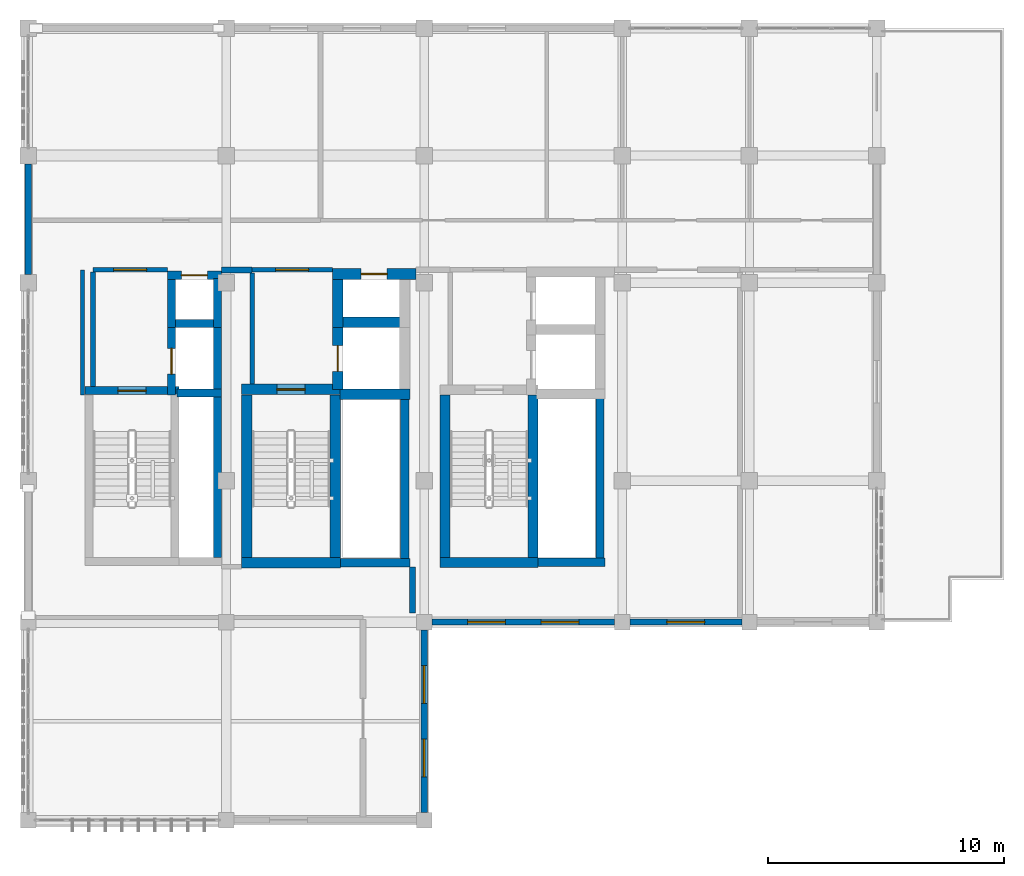
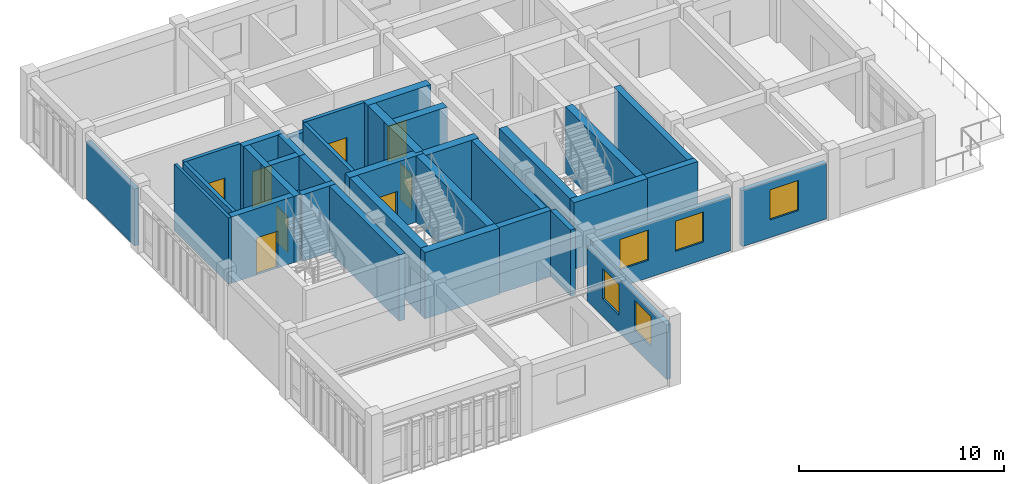
# One storey, part 19 of 23: 36 walls, 8 doors, 5 windows, 13 openings.
"""IFC4 building model written with IfcOpenShell, lengths in metres."""

from ifc_helpers import new_model, si_unit, direction, frame, frame_2d, origin, place, context, subcontext, project, spatial, rectangle, extrude, material, layer, layer_set, type_object, element, fill, save


model = new_model("IFC4")

# Units and contexts
model_context = context("Model", 3, precision=1e-05, world=origin(), true_north=direction((0.0, 1.0)))
body_context = subcontext(model_context, "Body", "Model", "MODEL_VIEW")
ifc_project = project(units=[si_unit("LENGTHUNIT", "METRE"), si_unit("AREAUNIT", "SQUARE_METRE"), si_unit("VOLUMEUNIT", "CUBIC_METRE"), si_unit("PLANEANGLEUNIT", "RADIAN"), si_unit("MASSUNIT", "GRAM", prefix="KILO")], contexts=[model_context])

# Site, building, storey
site_placement = place(None, origin())
site = spatial("IfcSite", under=ifc_project, at=site_placement, CompositionType="ELEMENT")
building_placement = place(site_placement, origin())
building = spatial("IfcBuilding", under=site, at=building_placement, Name="Krzemoval Escarpment Law Courts", CompositionType="ELEMENT")
storey_placement = place(building_placement, frame((0.0, 0.0, 33.60009765625)))
storey = spatial("IfcBuildingStorey", under=building, at=storey_placement, Name="L07", CompositionType="ELEMENT", Elevation=33.60009765625)

# Wall
ifc_material_1 = material(Name="Precast concrete C40/50", Category="concrete")
ifc_layer_1 = layer(ifc_material_1, 0.260009765625)
ifc_layer_set_1 = layer_set([ifc_layer_1], Name="Precast concrete C40/50")
wall_type_1 = type_object("IfcWallType", Name="WL-EXT-260", PredefinedType="SOLIDWALL", material=ifc_layer_set_1)
wall_1_placement = place(storey_placement, frame((126.0, 108.35009765625, 0.0), z_axis=(0.0, 0.0, 1.0), x_axis=(0.0, 1.0, 0.0)))
element("IfcWall", 1, at=wall_1_placement, inside=storey, type_object=wall_type_1, Name="Exterior Wall EW-L07-0456", PredefinedType="SOLIDWALL", context=body_context, shape_type="SweptSolid", body=[
    extrude(rectangle(XDim=4.699951171875, YDim=0.260009765625, at=frame_2d((2.35009765625, 0.0))), origin(), (0.0, 0.0, 1.0), 3.39990234375),
])

# Wall, opening, window
wall_2_placement = place(storey_placement, frame((156.27490234375, 93.60009765625, 0.0), z_axis=(0.0, 0.0, 1.0), x_axis=(-1.0, 0.0, 0.0)))
wall_2 = element("IfcWall", 2, at=wall_2_placement, inside=storey, type_object=wall_type_1, Name="Exterior Wall EW-L07-0464", PredefinedType="SOLIDWALL", context=body_context, shape_type="SweptSolid", body=[
    extrude(rectangle(XDim=4.75, YDim=0.260009765625, at=frame_2d((2.375, 0.0))), origin(), (0.0, 0.0, 1.0), 3.349853515625),
])
opening_1_placement = place(wall_2_placement, frame((1.574951171875, 0.0, 1.050048828125)))
opening_1 = element("IfcOpeningElement", 3, at=opening_1_placement, cuts=wall_2, Name="Opening WN-L07-0541", PredefinedType="OPENING", context=body_context, shape_type="SweptSolid", body=[
    extrude(rectangle(XDim=1.60009765625, YDim=1.800048828125, at=frame_2d((0.800048828125, 0.89990234375))), frame((0.0, 0.145, 0.0), z_axis=(0.0, -1.0, 0.0), x_axis=(1.0, 0.0, 0.0)), (0.0, 0.0, 1.0), 0.29001),
])
ifc_material_2 = material(Name="Thermally Broken Aluminium Frame with Triple Low-E Acoustic Glass", Category="aluminium")
window_type = type_object("IfcWindowType", Name="WN-1600x1800", PartitioningType="SINGLE_PANEL", PredefinedType="WINDOW", material=ifc_material_2)
window_1_placement = place(opening_1_placement, origin())
window_1 = element("IfcWindow", 4, at=window_1_placement, inside=storey, type_object=window_type, Name="Facade Window WN-L07-0541", OverallHeight=1.800048828125, OverallWidth=1.60009765625, PartitioningType="SINGLE_PANEL", PredefinedType="WINDOW", context=body_context, shape_type="SweptSolid", body=[
    extrude(rectangle(XDim=1.60009765625, YDim=1.800048828125, at=frame_2d((0.800048828125, 0.89990234375))), frame((0.0, 0.030029296875, 0.0), z_axis=(0.0, -1.0, 0.0), x_axis=(1.0, 0.0, 0.0)), (0.0, 0.0, 1.0), 0.06005859375),
])
fill(opening_1, window_1)

# Wall, openings, windows
wall_3_placement = place(storey_placement, frame((150.875, 93.60009765625, 0.0), z_axis=(0.0, 0.0, 1.0), x_axis=(-1.0, 0.0, 0.0)))
wall_3 = element("IfcWall", 5, at=wall_3_placement, inside=storey, type_object=wall_type_1, Name="Exterior Wall EW-L07-0465", PredefinedType="SOLIDWALL", context=body_context, shape_type="SweptSolid", body=[
    extrude(rectangle(XDim=7.75, YDim=0.260009765625, at=frame_2d((3.875, 0.0))), origin(), (0.0, 0.0, 1.0), 3.25),
])
opening_2_placement = place(wall_3_placement, frame((1.51708984375, 0.0, 1.050048828125)))
opening_2 = element("IfcOpeningElement", 6, at=opening_2_placement, cuts=wall_3, Name="Opening WN-L07-0542", PredefinedType="OPENING", context=body_context, shape_type="SweptSolid", body=[
    extrude(rectangle(XDim=1.60009765625, YDim=1.800048828125, at=frame_2d((0.800048828125, 0.89990234375))), frame((0.0, 0.145, 0.0), z_axis=(0.0, -1.0, 0.0), x_axis=(1.0, 0.0, 0.0)), (0.0, 0.0, 1.0), 0.29001),
])
opening_3_placement = place(wall_3_placement, frame((4.633056640625, 0.0, 1.050048828125)))
opening_3 = element("IfcOpeningElement", 7, at=opening_3_placement, cuts=wall_3, Name="Opening WN-L07-0543", PredefinedType="OPENING", context=body_context, shape_type="SweptSolid", body=[
    extrude(rectangle(XDim=1.60009765625, YDim=1.800048828125, at=frame_2d((0.800048828125, 0.89990234375))), frame((0.0, 0.145, 0.0), z_axis=(0.0, -1.0, 0.0), x_axis=(1.0, 0.0, 0.0)), (0.0, 0.0, 1.0), 0.29001),
])
window_2_placement = place(opening_2_placement, origin())
window_2 = element("IfcWindow", 8, at=window_2_placement, inside=storey, type_object=window_type, Name="Facade Window WN-L07-0542", OverallHeight=1.800048828125, OverallWidth=1.60009765625, PartitioningType="SINGLE_PANEL", PredefinedType="WINDOW", context=body_context, shape_type="SweptSolid", body=[
    extrude(rectangle(XDim=1.60009765625, YDim=1.800048828125, at=frame_2d((0.800048828125, 0.89990234375))), frame((0.0, 0.030029296875, 0.0), z_axis=(0.0, -1.0, 0.0), x_axis=(1.0, 0.0, 0.0)), (0.0, 0.0, 1.0), 0.06005859375),
])
fill(opening_2, window_2)
window_3_placement = place(opening_3_placement, origin())
window_3 = element("IfcWindow", 9, at=window_3_placement, inside=storey, type_object=window_type, Name="Facade Window WN-L07-0543", OverallHeight=1.800048828125, OverallWidth=1.60009765625, PartitioningType="SINGLE_PANEL", PredefinedType="WINDOW", context=body_context, shape_type="SweptSolid", body=[
    extrude(rectangle(XDim=1.60009765625, YDim=1.800048828125, at=frame_2d((0.800048828125, 0.89990234375))), frame((0.0, 0.030029296875, 0.0), z_axis=(0.0, -1.0, 0.0), x_axis=(1.0, 0.0, 0.0)), (0.0, 0.0, 1.0), 0.06005859375),
])
fill(opening_3, window_3)

wall_4_placement = place(storey_placement, frame((142.800048828125, 93.27490234375, 0.0), z_axis=(0.0, 0.0, 1.0), x_axis=(0.0, -1.0, 0.0)))
wall_4 = element("IfcWall", 10, at=wall_4_placement, inside=storey, type_object=wall_type_1, Name="Exterior Wall EW-L07-0466", PredefinedType="SOLIDWALL", context=body_context, shape_type="SweptSolid", body=[
    extrude(rectangle(XDim=7.75, YDim=0.260009765625, at=frame_2d((3.875, 0.0))), origin(), (0.0, 0.0, 1.0), 3.25),
])
opening_4_placement = place(wall_4_placement, frame((1.51708984375, 0.0, 1.050048828125)))
opening_4 = element("IfcOpeningElement", 11, at=opening_4_placement, cuts=wall_4, Name="Opening WN-L07-0544", PredefinedType="OPENING", context=body_context, shape_type="SweptSolid", body=[
    extrude(rectangle(XDim=1.60009765625, YDim=1.800048828125, at=frame_2d((0.800048828125, 0.89990234375))), frame((0.0, 0.145, 0.0), z_axis=(0.0, -1.0, 0.0), x_axis=(1.0, 0.0, 0.0)), (0.0, 0.0, 1.0), 0.29001),
])
opening_5_placement = place(wall_4_placement, frame((4.633056640625, 0.0, 1.050048828125)))
opening_5 = element("IfcOpeningElement", 12, at=opening_5_placement, cuts=wall_4, Name="Opening WN-L07-0545", PredefinedType="OPENING", context=body_context, shape_type="SweptSolid", body=[
    extrude(rectangle(XDim=1.60009765625, YDim=1.800048828125, at=frame_2d((0.800048828125, 0.89990234375))), frame((0.0, 0.145, 0.0), z_axis=(0.0, -1.0, 0.0), x_axis=(1.0, 0.0, 0.0)), (0.0, 0.0, 1.0), 0.29001),
])
window_4_placement = place(opening_4_placement, origin())
window_4 = element("IfcWindow", 13, at=window_4_placement, inside=storey, type_object=window_type, Name="Facade Window WN-L07-0544", OverallHeight=1.800048828125, OverallWidth=1.60009765625, PartitioningType="SINGLE_PANEL", PredefinedType="WINDOW", context=body_context, shape_type="SweptSolid", body=[
    extrude(rectangle(XDim=1.60009765625, YDim=1.800048828125, at=frame_2d((0.800048828125, 0.89990234375))), frame((0.0, 0.030029296875, 0.0), z_axis=(0.0, -1.0, 0.0), x_axis=(1.0, 0.0, 0.0)), (0.0, 0.0, 1.0), 0.06005859375),
])
fill(opening_4, window_4)
window_5_placement = place(opening_5_placement, origin())
window_5 = element("IfcWindow", 14, at=window_5_placement, inside=storey, type_object=window_type, Name="Facade Window WN-L07-0545", OverallHeight=1.800048828125, OverallWidth=1.60009765625, PartitioningType="SINGLE_PANEL", PredefinedType="WINDOW", context=body_context, shape_type="SweptSolid", body=[
    extrude(rectangle(XDim=1.60009765625, YDim=1.800048828125, at=frame_2d((0.800048828125, 0.89990234375))), frame((0.0, 0.030029296875, 0.0), z_axis=(0.0, -1.0, 0.0), x_axis=(1.0, 0.0, 0.0)), (0.0, 0.0, 1.0), 0.06005859375),
])
fill(opening_5, window_5)

# Wall
ifc_material_3 = material(Name="Jury Suite Partition Assembly", Category="gypsum")
ifc_layer_2 = layer(ifc_material_3, 0.159912109375)
ifc_layer_set_2 = layer_set([ifc_layer_2], Name="Jury Suite Partition Assembly")
wall_type_2 = type_object("IfcWallType", Name="WL-PRT-160", PredefinedType="PARTITIONING", material=ifc_layer_set_2)
wall_5_placement = place(storey_placement, frame((128.300048828125, 103.248046875, 0.0), z_axis=(0.0, 0.0, 1.0), x_axis=(0.0, 1.0, 0.0)))
element("IfcWall", 15, at=wall_5_placement, inside=storey, type_object=wall_type_2, Name="Interior Partition PW-L07-0707", PredefinedType="PARTITIONING", context=body_context, shape_type="SweptSolid", body=[
    extrude(rectangle(XDim=5.302001953125, YDim=0.159912109375, at=frame_2d((2.65087890625, 0.0))), origin(), (0.0, 0.0, 1.0), 3.949951171875),
])

# Wall, opening, door
ifc_material_4 = material(Name="Fire-Rated Corridor Partition Wall", Category="gypsum")
ifc_layer_3 = layer(ifc_material_4, 0.199951171875)
ifc_layer_set_3 = layer_set([ifc_layer_3], Name="Fire-Rated Corridor Partition Wall")
wall_type_3 = type_object("IfcWallType", Name="WL-PRT-200", PredefinedType="PARTITIONING", material=ifc_layer_set_3)
wall_6_placement = place(storey_placement, frame((128.75, 108.550048828125, 0.0), z_axis=(0.0, 0.0, 1.0), x_axis=(1.0, 0.0, 0.0)))
wall_6 = element("IfcWall", 16, at=wall_6_placement, inside=storey, type_object=wall_type_3, Name="Interior Partition PW-L07-0695", PredefinedType="PARTITIONING", context=body_context, shape_type="SweptSolid", body=[
    extrude(rectangle(XDim=3.14990234375, YDim=0.199951171875, at=frame_2d((1.574951171875, 0.0))), origin(), (0.0, 0.0, 1.0), 3.949951171875),
])
opening_6_placement = place(wall_6_placement, frame((0.875, 0.0, 0.0)))
opening_6 = element("IfcOpeningElement", 17, at=opening_6_placement, cuts=wall_6, Name="Opening D-L07-0240", PredefinedType="OPENING", context=body_context, shape_type="SweptSolid", body=[
    extrude(rectangle(XDim=1.39990234375, YDim=2.199951171875, at=frame_2d((0.699951171875, 1.10009765625))), frame((0.0, 0.11498, 0.0), z_axis=(0.0, -1.0, 0.0), x_axis=(1.0, 0.0, 0.0)), (0.0, 0.0, 1.0), 0.22995),
])
ifc_material_5 = material(Name="Galvanised Steel S355", Category="steel")
door_type_1 = type_object("IfcDoorType", Name="DR-FFL-1400x2200", OperationType="SINGLE_SWING_LEFT", PredefinedType="DOOR", material=ifc_material_5)
door_1_placement = place(opening_6_placement, origin())
door_1 = element("IfcDoor", 18, at=door_1_placement, inside=storey, type_object=door_type_1, Name="Room Door D-L07-0240", OperationType="SINGLE_SWING_LEFT", OverallHeight=2.199951171875, OverallWidth=1.39990234375, PredefinedType="DOOR", context=body_context, shape_type="SweptSolid", body=[
    extrude(rectangle(XDim=1.39990234375, YDim=2.199951171875, at=frame_2d((0.699951171875, 1.10009765625))), frame((0.0, 0.02490234375, 0.0), z_axis=(0.0, -1.0, 0.0), x_axis=(1.0, 0.0, 0.0)), (0.0, 0.0, 1.0), 0.050048828125),
])
fill(opening_6, door_1)

wall_7_placement = place(storey_placement, frame((135.5, 108.550048828125, 0.0), z_axis=(0.0, 0.0, 1.0), x_axis=(1.0, 0.0, 0.0)))
wall_7 = element("IfcWall", 19, at=wall_7_placement, inside=storey, type_object=wall_type_3, Name="Interior Partition PW-L07-0696", PredefinedType="PARTITIONING", context=body_context, shape_type="SweptSolid", body=[
    extrude(rectangle(XDim=3.39990234375, YDim=0.199951171875, at=frame_2d((1.699951171875, 0.0))), origin(), (0.0, 0.0, 1.0), 3.949951171875),
])
opening_7_placement = place(wall_7_placement, frame((1.0, 0.0, 0.0)))
opening_7 = element("IfcOpeningElement", 20, at=opening_7_placement, cuts=wall_7, Name="Opening D-L07-0241", PredefinedType="OPENING", context=body_context, shape_type="SweptSolid", body=[
    extrude(rectangle(XDim=1.39990234375, YDim=2.199951171875, at=frame_2d((0.699951171875, 1.10009765625))), frame((0.0, 0.11498, 0.0), z_axis=(0.0, -1.0, 0.0), x_axis=(1.0, 0.0, 0.0)), (0.0, 0.0, 1.0), 0.22995),
])
door_2_placement = place(opening_7_placement, origin())
door_2 = element("IfcDoor", 21, at=door_2_placement, inside=storey, type_object=door_type_1, Name="Room Door D-L07-0241", OperationType="SINGLE_SWING_LEFT", OverallHeight=2.199951171875, OverallWidth=1.39990234375, PredefinedType="DOOR", context=body_context, shape_type="SweptSolid", body=[
    extrude(rectangle(XDim=1.39990234375, YDim=2.199951171875, at=frame_2d((0.699951171875, 1.10009765625))), frame((0.0, 0.02490234375, 0.0), z_axis=(0.0, -1.0, 0.0), x_axis=(1.0, 0.0, 0.0)), (0.0, 0.0, 1.0), 0.050048828125),
])
fill(opening_7, door_2)

# Walls
wall_8_placement = place(storey_placement, frame((128.75, 103.60205078125, 0.0), z_axis=(0.0, 0.0, 1.0), x_axis=(0.0, 1.0, 0.0)))
element("IfcWall", 22, at=wall_8_placement, inside=storey, type_object=wall_type_3, Name="Interior Partition PW-L07-0708", PredefinedType="PARTITIONING", context=body_context, shape_type="SweptSolid", body=[
    extrude(rectangle(XDim=4.845947265625, YDim=0.199951171875, at=frame_2d((2.4228515625, 0.0))), origin(), (0.0, 0.0, 1.0), 3.949951171875),
])
wall_9_placement = place(storey_placement, frame((135.5, 103.701904296875, 0.0), z_axis=(0.0, 0.0, 1.0), x_axis=(0.0, 1.0, 0.0)))
element("IfcWall", 23, at=wall_9_placement, inside=storey, type_object=wall_type_3, Name="Interior Partition PW-L07-0709", PredefinedType="PARTITIONING", context=body_context, shape_type="SweptSolid", body=[
    extrude(rectangle(XDim=4.716064453125, YDim=0.199951171875, at=frame_2d((2.35791015625, 0.0))), origin(), (0.0, 0.0, 1.0), 3.949951171875),
])
ifc_material_6 = material(Name="Acoustic Double-Stud Gypsum and Mineral Wool Wall", Category="gypsum")
ifc_layer_4 = layer(ifc_material_6, 0.260009765625)
ifc_layer_set_4 = layer_set([ifc_layer_4], Name="Acoustic Double-Stud Gypsum and Mineral Wool Wall")
wall_type_4 = type_object("IfcWallType", Name="WL-PRT-260", PredefinedType="PARTITIONING", material=ifc_layer_set_4)
wall_10_placement = place(storey_placement, frame((134.199951171875, 108.550048828125, 0.0), z_axis=(0.0, 0.0, 1.0), x_axis=(1.0, 0.0, 0.0)))
element("IfcWall", 24, at=wall_10_placement, inside=storey, type_object=wall_type_4, Name="Interior Partition PW-L07-0698", PredefinedType="PARTITIONING", context=body_context, shape_type="SweptSolid", body=[
    extrude(rectangle(XDim=1.300048828125, YDim=0.260009765625, at=frame_2d((0.64990234375, 0.0))), origin(), (0.0, 0.0, 1.0), 3.39990234375),
])
wall_11_placement = place(storey_placement, frame((142.300048828125, 94.0, 0.0), z_axis=(0.0, 0.0, 1.0), x_axis=(0.0, 1.0, 0.0)))
element("IfcWall", 25, at=wall_11_placement, inside=storey, type_object=wall_type_4, Name="Interior Partition PW-L07-0712", PredefinedType="PARTITIONING", context=body_context, shape_type="SweptSolid", body=[
    extrude(rectangle(XDim=1.949951171875, YDim=0.260009765625, at=frame_2d((0.97509765625, 0.0))), origin(), (0.0, 0.0, 1.0), 3.949951171875),
])

# Wall, opening, door
ifc_material_7 = material(Name="Concrete C40/50", Category="concrete")
ifc_layer_5 = layer(ifc_material_7, 0.35009765625)
ifc_layer_set_5 = layer_set([ifc_layer_5], Name="Concrete C40/50")
wall_type_5 = type_object("IfcWallType", Name="WL-SHW-350", PredefinedType="SHEAR", material=ifc_layer_set_5)
wall_12_placement = place(storey_placement, frame((128.39990234375, 103.425048828125, 0.0), z_axis=(0.0, 0.0, 1.0), x_axis=(1.0, 0.0, 0.0)))
wall_12 = element("IfcWall", 26, at=wall_12_placement, inside=storey, type_object=wall_type_5, Name="Core Stair Shear Wall SW-L07-0105", PredefinedType="SHEAR", context=body_context, shape_type="SweptSolid", body=[
    extrude(rectangle(XDim=4.0, YDim=0.35009765625, at=frame_2d((2.0, 0.0))), origin(), (0.0, 0.0, 1.0), 3.949951171875),
])
opening_8_placement = place(wall_12_placement, frame((1.39990234375, 0.0, 0.0)))
opening_8 = element("IfcOpeningElement", 27, at=opening_8_placement, cuts=wall_12, Name="Opening SD-ST1-L07", PredefinedType="OPENING", context=body_context, shape_type="SweptSolid", body=[
    extrude(rectangle(XDim=1.199951171875, YDim=2.199951171875, at=frame_2d((0.60009765625, 1.10009765625))), frame((0.0, 0.19005, 0.0), z_axis=(0.0, -1.0, 0.0), x_axis=(1.0, 0.0, 0.0)), (0.0, 0.0, 1.0), 0.3801),
])
ifc_material_8 = material(Name="Galvanised Steel S355", Category="steel")
door_type_2 = type_object("IfcDoorType", Name="DR-STR-1200x2200", OperationType="SINGLE_SWING_LEFT", PredefinedType="DOOR", material=ifc_material_8)
door_3_placement = place(opening_8_placement, origin())
door_3 = element("IfcDoor", 28, at=door_3_placement, inside=storey, type_object=door_type_2, Name="Stair Exit Door SD-ST1-L07", OperationType="SINGLE_SWING_RIGHT", OverallHeight=2.199951171875, OverallWidth=1.199951171875, PredefinedType="DOOR", context=body_context, shape_type="SweptSolid", body=[
    extrude(rectangle(XDim=1.199951171875, YDim=2.199951171875, at=frame_2d((0.60009765625, 1.10009765625))), frame((0.0, 0.02490234375, 0.0), z_axis=(0.0, -1.0, 0.0), x_axis=(1.0, 0.0, 0.0)), (0.0, 0.0, 1.0), 0.050048828125),
])
fill(opening_8, door_3)

# Walls
wall_13_placement = place(storey_placement, frame((132.318115234375, 103.324951171875, 0.0), z_axis=(0.0, 0.0, 1.0), x_axis=(1.0, 0.0, 0.0)))
element("IfcWall", 29, at=wall_13_placement, inside=storey, type_object=wall_type_5, Name="Lift Shaft Shear Wall SW-L07-0109", PredefinedType="SHEAR", context=body_context, shape_type="SweptSolid", body=[
    extrude(rectangle(XDim=1.8818359375, YDim=0.35009765625, at=frame_2d((0.94091796875, 0.0))), origin(), (0.0, 0.0, 1.0), 3.949951171875),
])
wall_14_placement = place(storey_placement, frame((131.89990234375, 106.27490234375, 0.0), z_axis=(0.0, 0.0, 1.0), x_axis=(1.0, 0.0, 0.0)))
element("IfcWall", 30, at=wall_14_placement, inside=storey, type_object=wall_type_5, Name="Lift Shaft Shear Wall SW-L07-0110", PredefinedType="SHEAR", context=body_context, shape_type="SweptSolid", body=[
    extrude(rectangle(XDim=2.300048828125, YDim=0.35009765625, at=frame_2d((1.14990234375, 0.0))), origin(), (0.0, 0.0, 1.0), 3.949951171875),
])

# Wall, opening, door
wall_15_placement = place(storey_placement, frame((132.074951171875, 103.242919921875, 0.0), z_axis=(0.0, 0.0, 1.0), x_axis=(0.0, 1.0, 0.0)))
wall_15 = element("IfcWall", 31, at=wall_15_placement, inside=storey, type_object=wall_type_5, Name="Lift Shaft Shear Wall SW-L07-0111", PredefinedType="SHEAR", context=body_context, shape_type="SweptSolid", body=[
    extrude(rectangle(XDim=2.85498046875, YDim=0.35009765625, at=frame_2d((1.427490234375, 0.0))), origin(), (0.0, 0.0, 1.0), 3.949951171875),
])
opening_9_placement = place(wall_15_placement, frame((0.8779296875, 0.0, 0.0)))
opening_9 = element("IfcOpeningElement", 32, at=opening_9_placement, cuts=wall_15, Name="Opening LD-FL1-L07", PredefinedType="OPENING", context=body_context, shape_type="SweptSolid", body=[
    extrude(rectangle(XDim=1.10009765625, YDim=2.14990234375, at=frame_2d((0.550048828125, 1.074951171875))), frame((0.0, 0.19005, 0.0), z_axis=(0.0, -1.0, 0.0), x_axis=(1.0, 0.0, 0.0)), (0.0, 0.0, 1.0), 0.3801),
])
ifc_material_9 = material(Name="Stainless Steel Grade 304", Category="steel")
door_type_3 = type_object("IfcDoorType", Name="DR-LFT-1100x2150", OperationType="SINGLE_SWING_LEFT", PredefinedType="DOOR", material=ifc_material_9)
door_4_placement = place(opening_9_placement, origin())
door_4 = element("IfcDoor", 33, at=door_4_placement, inside=storey, type_object=door_type_3, Name="Lift Landing Door LD-FL1-L07", OperationType="DOUBLE_DOOR_SLIDING", OverallHeight=2.14990234375, OverallWidth=1.10009765625, PredefinedType="DOOR", context=body_context, shape_type="SweptSolid", body=[
    extrude(rectangle(XDim=1.10009765625, YDim=2.14990234375, at=frame_2d((0.550048828125, 1.074951171875))), frame((0.0, 0.02490234375, 0.0), z_axis=(0.0, -1.0, 0.0), x_axis=(1.0, 0.0, 0.0)), (0.0, 0.0, 1.0), 0.050048828125),
])
fill(opening_9, door_4)

# Wall
wall_16_placement = place(storey_placement, frame((134.02490234375, 103.501953125, 0.0), z_axis=(0.0, 0.0, 1.0), x_axis=(0.0, 1.0, 0.0)))
element("IfcWall", 34, at=wall_16_placement, inside=storey, type_object=wall_type_5, Name="Lift Shaft Shear Wall SW-L07-0112", PredefinedType="SHEAR", context=body_context, shape_type="SweptSolid", body=[
    extrude(rectangle(XDim=2.595947265625, YDim=0.35009765625, at=frame_2d((1.2978515625, 0.0))), origin(), (0.0, 0.0, 1.0), 3.949951171875),
])

# Wall, opening, door
wall_17_placement = place(storey_placement, frame((131.89990234375, 108.324951171875, 0.0), z_axis=(0.0, 0.0, 1.0), x_axis=(1.0, 0.0, 0.0)))
wall_17 = element("IfcWall", 35, at=wall_17_placement, inside=storey, type_object=wall_type_5, Name="Lift Shaft Shear Wall SW-L07-0113", PredefinedType="SHEAR", context=body_context, shape_type="SweptSolid", body=[
    extrude(rectangle(XDim=2.300048828125, YDim=0.35009765625, at=frame_2d((1.14990234375, 0.0))), origin(), (0.0, 0.0, 1.0), 3.949951171875),
])
opening_10_placement = place(wall_17_placement, frame((0.60009765625, 0.0, 0.0)))
opening_10 = element("IfcOpeningElement", 36, at=opening_10_placement, cuts=wall_17, Name="Opening LD-JL1-L07", PredefinedType="OPENING", context=body_context, shape_type="SweptSolid", body=[
    extrude(rectangle(XDim=1.10009765625, YDim=2.14990234375, at=frame_2d((0.550048828125, 1.074951171875))), frame((0.0, 0.19005, 0.0), z_axis=(0.0, -1.0, 0.0), x_axis=(1.0, 0.0, 0.0)), (0.0, 0.0, 1.0), 0.3801),
])
door_5_placement = place(opening_10_placement, origin())
door_5 = element("IfcDoor", 37, at=door_5_placement, inside=storey, type_object=door_type_3, Name="Lift Landing Door LD-JL1-L07", OperationType="DOUBLE_DOOR_SLIDING", OverallHeight=2.14990234375, OverallWidth=1.10009765625, PredefinedType="DOOR", context=body_context, shape_type="SweptSolid", body=[
    extrude(rectangle(XDim=1.10009765625, YDim=2.14990234375, at=frame_2d((0.550048828125, 1.074951171875))), frame((0.0, 0.02490234375, 0.0), z_axis=(0.0, -1.0, 0.0), x_axis=(1.0, 0.0, 0.0)), (0.0, 0.0, 1.0), 0.050048828125),
])
fill(opening_10, door_5)

# Walls
wall_18_placement = place(storey_placement, frame((132.074951171875, 106.093017578125, 0.0), z_axis=(0.0, 0.0, 1.0), x_axis=(0.0, 1.0, 0.0)))
element("IfcWall", 38, at=wall_18_placement, inside=storey, type_object=wall_type_5, Name="Lift Shaft Shear Wall SW-L07-0114", PredefinedType="SHEAR", context=body_context, shape_type="SweptSolid", body=[
    extrude(rectangle(XDim=2.054931640625, YDim=0.35009765625, at=frame_2d((1.02734375, 0.0))), origin(), (0.0, 0.0, 1.0), 3.949951171875),
])
wall_19_placement = place(storey_placement, frame((134.02490234375, 106.093017578125, 0.0), z_axis=(0.0, 0.0, 1.0), x_axis=(0.0, 1.0, 0.0)))
element("IfcWall", 39, at=wall_19_placement, inside=storey, type_object=wall_type_5, Name="Lift Shaft Shear Wall SW-L07-0115", PredefinedType="SHEAR", context=body_context, shape_type="SweptSolid", body=[
    extrude(rectangle(XDim=2.0849609375, YDim=0.35009765625, at=frame_2d((1.04248046875, 0.0))), origin(), (0.0, 0.0, 1.0), 3.949951171875),
])
wall_20_placement = place(storey_placement, frame((134.02490234375, 96.35205078125, 0.0), z_axis=(0.0, 0.0, 1.0), x_axis=(0.0, 1.0, 0.0)))
element("IfcWall", 40, at=wall_20_placement, inside=storey, type_object=wall_type_5, Name="Riser Shaft Wall SW-L07-0117", PredefinedType="SHEAR", context=body_context, shape_type="SweptSolid", body=[
    extrude(rectangle(XDim=7.155029296875, YDim=0.35009765625, at=frame_2d((3.57763671875, 0.0))), origin(), (0.0, 0.0, 1.0), 3.949951171875),
])
wall_21_placement = place(storey_placement, frame((139.25, 96.125, 0.0), z_axis=(0.0, 0.0, 1.0), x_axis=(1.0, 0.0, 0.0)))
element("IfcWall", 41, at=wall_21_placement, inside=storey, type_object=wall_type_5, Name="Riser Shaft Wall SW-L07-0266", PredefinedType="SHEAR", context=body_context, shape_type="SweptSolid", body=[
    extrude(rectangle(XDim=2.949951171875, YDim=0.35009765625, at=frame_2d((1.47509765625, 0.0))), origin(), (0.0, 0.0, 1.0), 3.949951171875),
])
wall_22_placement = place(storey_placement, frame((141.97509765625, 96.294921875, 0.0), z_axis=(0.0, 0.0, 1.0), x_axis=(0.0, 1.0, 0.0)))
element("IfcWall", 42, at=wall_22_placement, inside=storey, type_object=wall_type_5, Name="Riser Shaft Wall SW-L07-0267", PredefinedType="SHEAR", context=body_context, shape_type="SweptSolid", body=[
    extrude(rectangle(XDim=7.212158203125, YDim=0.35009765625, at=frame_2d((3.60595703125, 0.0))), origin(), (0.0, 0.0, 1.0), 3.949951171875),
])
wall_23_placement = place(storey_placement, frame((147.6201171875, 96.139892578125, 0.0), z_axis=(0.0, 0.0, 1.0), x_axis=(1.0, 0.0, 0.0)))
element("IfcWall", 43, at=wall_23_placement, inside=storey, type_object=wall_type_5, Name="Riser Shaft Wall SW-L07-0416", PredefinedType="SHEAR", context=body_context, shape_type="SweptSolid", body=[
    extrude(rectangle(XDim=2.849853515625, YDim=0.35009765625, at=frame_2d((1.4248046875, 0.0))), origin(), (0.0, 0.0, 1.0), 3.949951171875),
])
wall_24_placement = place(storey_placement, frame((150.260009765625, 96.31005859375, 0.0), z_axis=(0.0, 0.0, 1.0), x_axis=(0.0, 1.0, 0.0)))
element("IfcWall", 44, at=wall_24_placement, inside=storey, type_object=wall_type_5, Name="Riser Shaft Wall SW-L07-0417", PredefinedType="SHEAR", context=body_context, shape_type="SweptSolid", body=[
    extrude(rectangle(XDim=7.197021484375, YDim=0.35009765625, at=frame_2d((3.5986328125, 0.0))), origin(), (0.0, 0.0, 1.0), 3.949951171875),
])
ifc_material_10 = material(Name="Concrete C40/50", Category="concrete")
ifc_layer_6 = layer(ifc_material_10, 0.419921875)
ifc_layer_set_6 = layer_set([ifc_layer_6], Name="Concrete C40/50")
wall_type_6 = type_object("IfcWallType", Name="WL-SHW-420", PredefinedType="SHEAR", material=ifc_layer_set_6)
wall_25_placement = place(storey_placement, frame((143.47998046875, 96.139892578125, 0.0), z_axis=(0.0, 0.0, 1.0), x_axis=(1.0, 0.0, 0.0)))
element("IfcWall", 45, at=wall_25_placement, inside=storey, type_object=wall_type_6, Name="Core Stair Shear Wall SW-L07-0406", PredefinedType="SHEAR", context=body_context, shape_type="SweptSolid", body=[
    extrude(rectangle(XDim=4.14013671875, YDim=0.419921875, at=frame_2d((2.070068359375, 0.0))), origin(), (0.0, 0.0, 1.0), 3.949951171875),
])
for number, where, z_axis, x_axis, name in (
    (46, (143.68994140625, 96.35205078125, 0.0), (0.0, 0.0, 1.0), (0.0, 1.0, 0.0), "Core Stair Shear Wall SW-L07-0407"),
    (47, (147.409912109375, 96.35205078125, 0.0), (0.0, 0.0, 1.0), (0.0, 1.0, 0.0), "Core Stair Shear Wall SW-L07-0408"),
):
    element("IfcWall", number, at=place(storey_placement, frame(where, z_axis=z_axis, x_axis=x_axis)), inside=storey, type_object=wall_type_6, Name=name, PredefinedType="SHEAR", context=body_context, shape_type="SweptSolid", body=[
        extrude(rectangle(XDim=6.89599609375, YDim=0.419921875, at=frame_2d((3.447998046875, 0.0))), origin(), (0.0, 0.0, 1.0), 3.949951171875),
    ])

# Wall, opening, door
ifc_material_11 = material(Name="Concrete C40/50", Category="concrete")
ifc_layer_7 = layer(ifc_material_11, 0.449951171875)
ifc_layer_set_7 = layer_set([ifc_layer_7], Name="Concrete C40/50")
wall_type_7 = type_object("IfcWallType", Name="WL-SHW-450", PredefinedType="SHEAR", material=ifc_layer_set_7)
wall_26_placement = place(storey_placement, frame((135.050048828125, 103.47509765625, 0.0), z_axis=(0.0, 0.0, 1.0), x_axis=(1.0, 0.0, 0.0)))
wall_26 = element("IfcWall", 48, at=wall_26_placement, inside=storey, type_object=wall_type_7, Name="Core Stair Shear Wall SW-L07-0255", PredefinedType="SHEAR", context=body_context, shape_type="SweptSolid", body=[
    extrude(rectangle(XDim=4.199951171875, YDim=0.449951171875, at=frame_2d((2.10009765625, 0.0))), origin(), (0.0, 0.0, 1.0), 3.949951171875),
])
opening_11_placement = place(wall_26_placement, frame((1.5, 0.0, 0.0)))
opening_11 = element("IfcOpeningElement", 49, at=opening_11_placement, cuts=wall_26, Name="Opening SD-ST2-L07", PredefinedType="OPENING", context=body_context, shape_type="SweptSolid", body=[
    extrude(rectangle(XDim=1.199951171875, YDim=2.199951171875, at=frame_2d((0.60009765625, 1.10009765625))), frame((0.0, 0.23998, 0.0), z_axis=(0.0, -1.0, 0.0), x_axis=(1.0, 0.0, 0.0)), (0.0, 0.0, 1.0), 0.47995),
])
door_6_placement = place(opening_11_placement, origin())
door_6 = element("IfcDoor", 50, at=door_6_placement, inside=storey, type_object=door_type_2, Name="Stair Exit Door SD-ST2-L07", OperationType="SINGLE_SWING_LEFT", OverallHeight=2.199951171875, OverallWidth=1.199951171875, PredefinedType="DOOR", context=body_context, shape_type="SweptSolid", body=[
    extrude(rectangle(XDim=1.199951171875, YDim=2.199951171875, at=frame_2d((0.60009765625, 1.10009765625))), frame((0.0, 0.02490234375, 0.0), z_axis=(0.0, -1.0, 0.0), x_axis=(1.0, 0.0, 0.0)), (0.0, 0.0, 1.0), 0.050048828125),
])
fill(opening_11, door_6)

# Walls
wall_27_placement = place(storey_placement, frame((135.050048828125, 96.125, 0.0), z_axis=(0.0, 0.0, 1.0), x_axis=(1.0, 0.0, 0.0)))
element("IfcWall", 51, at=wall_27_placement, inside=storey, type_object=wall_type_7, Name="Core Stair Shear Wall SW-L07-0256", PredefinedType="SHEAR", context=body_context, shape_type="SweptSolid", body=[
    extrude(rectangle(XDim=4.199951171875, YDim=0.449951171875, at=frame_2d((2.10009765625, 0.0))), origin(), (0.0, 0.0, 1.0), 3.949951171875),
])
for number, where, z_axis, x_axis, name in (
    (52, (135.27490234375, 96.35205078125, 0.0), (0.0, 0.0, 1.0), (0.0, 1.0, 0.0), "Core Stair Shear Wall SW-L07-0257"),
    (53, (139.02490234375, 96.35205078125, 0.0), (0.0, 0.0, 1.0), (0.0, 1.0, 0.0), "Core Stair Shear Wall SW-L07-0258"),
):
    element("IfcWall", number, at=place(storey_placement, frame(where, z_axis=z_axis, x_axis=x_axis)), inside=storey, type_object=wall_type_7, Name=name, PredefinedType="SHEAR", context=body_context, shape_type="SweptSolid", body=[
        extrude(rectangle(XDim=6.89599609375, YDim=0.449951171875, at=frame_2d((3.447998046875, 0.0))), origin(), (0.0, 0.0, 1.0), 3.949951171875),
    ])
wall_28_placement = place(storey_placement, frame((139.218017578125, 103.27490234375, 0.0), z_axis=(0.0, 0.0, 1.0), x_axis=(1.0, 0.0, 0.0)))
element("IfcWall", 54, at=wall_28_placement, inside=storey, type_object=wall_type_7, Name="Lift Shaft Shear Wall SW-L07-0259", PredefinedType="SHEAR", context=body_context, shape_type="SweptSolid", body=[
    extrude(rectangle(XDim=2.98193359375, YDim=0.449951171875, at=frame_2d((1.490966796875, 0.0))), origin(), (0.0, 0.0, 1.0), 3.949951171875),
])
wall_29_placement = place(storey_placement, frame((138.89990234375, 106.324951171875, 0.0), z_axis=(0.0, 0.0, 1.0), x_axis=(1.0, 0.0, 0.0)))
element("IfcWall", 55, at=wall_29_placement, inside=storey, type_object=wall_type_7, Name="Lift Shaft Shear Wall SW-L07-0260", PredefinedType="SHEAR", context=body_context, shape_type="SweptSolid", body=[
    extrude(rectangle(XDim=3.300048828125, YDim=0.449951171875, at=frame_2d((1.64990234375, 0.0))), origin(), (0.0, 0.0, 1.0), 3.949951171875),
])

# Wall, opening, door
wall_30_placement = place(storey_placement, frame((139.125, 103.47509765625, 0.0), z_axis=(0.0, 0.0, 1.0), x_axis=(0.0, 1.0, 0.0)))
wall_30 = element("IfcWall", 56, at=wall_30_placement, inside=storey, type_object=wall_type_7, Name="Lift Shaft Shear Wall SW-L07-0261", PredefinedType="SHEAR", context=body_context, shape_type="SweptSolid", body=[
    extrude(rectangle(XDim=2.622802734375, YDim=0.449951171875, at=frame_2d((1.3115234375, 0.0))), origin(), (0.0, 0.0, 1.0), 3.949951171875),
])
opening_12_placement = place(wall_30_placement, frame((0.761962890625, 0.0, 0.0)))
opening_12 = element("IfcOpeningElement", 57, at=opening_12_placement, cuts=wall_30, Name="Opening LD-FL2-L07", PredefinedType="OPENING", context=body_context, shape_type="SweptSolid", body=[
    extrude(rectangle(XDim=1.10009765625, YDim=2.14990234375, at=frame_2d((0.550048828125, 1.074951171875))), frame((0.0, 0.23998, 0.0), z_axis=(0.0, -1.0, 0.0), x_axis=(1.0, 0.0, 0.0)), (0.0, 0.0, 1.0), 0.47995),
])
door_7_placement = place(opening_12_placement, origin())
door_7 = element("IfcDoor", 58, at=door_7_placement, inside=storey, type_object=door_type_3, Name="Lift Landing Door LD-FL2-L07", OperationType="DOUBLE_DOOR_SLIDING", OverallHeight=2.14990234375, OverallWidth=1.10009765625, PredefinedType="DOOR", context=body_context, shape_type="SweptSolid", body=[
    extrude(rectangle(XDim=1.10009765625, YDim=2.14990234375, at=frame_2d((0.550048828125, 1.074951171875))), frame((0.0, 0.02490234375, 0.0), z_axis=(0.0, -1.0, 0.0), x_axis=(1.0, 0.0, 0.0)), (0.0, 0.0, 1.0), 0.050048828125),
])
fill(opening_12, door_7)

wall_31_placement = place(storey_placement, frame((138.89990234375, 108.375, 0.0), z_axis=(0.0, 0.0, 1.0), x_axis=(1.0, 0.0, 0.0)))
wall_31 = element("IfcWall", 59, at=wall_31_placement, inside=storey, type_object=wall_type_7, Name="Lift Shaft Shear Wall SW-L07-0263", PredefinedType="SHEAR", context=body_context, shape_type="SweptSolid", body=[
    extrude(rectangle(XDim=3.55615234375, YDim=0.449951171875, at=frame_2d((1.778076171875, 0.0))), origin(), (0.0, 0.0, 1.0), 3.949951171875),
])
opening_13_placement = place(wall_31_placement, frame((1.22802734375, 0.0, 0.0)))
opening_13 = element("IfcOpeningElement", 60, at=opening_13_placement, cuts=wall_31, Name="Opening LD-JL2-L07", PredefinedType="OPENING", context=body_context, shape_type="SweptSolid", body=[
    extrude(rectangle(XDim=1.10009765625, YDim=2.14990234375, at=frame_2d((0.550048828125, 1.074951171875))), frame((0.0, 0.23998, 0.0), z_axis=(0.0, -1.0, 0.0), x_axis=(1.0, 0.0, 0.0)), (0.0, 0.0, 1.0), 0.47995),
])
door_8_placement = place(opening_13_placement, origin())
door_8 = element("IfcDoor", 61, at=door_8_placement, inside=storey, type_object=door_type_3, Name="Lift Landing Door LD-JL2-L07", OperationType="DOUBLE_DOOR_SLIDING", OverallHeight=2.14990234375, OverallWidth=1.10009765625, PredefinedType="DOOR", context=body_context, shape_type="SweptSolid", body=[
    extrude(rectangle(XDim=1.10009765625, YDim=2.14990234375, at=frame_2d((0.550048828125, 1.074951171875))), frame((0.0, 0.02490234375, 0.0), z_axis=(0.0, -1.0, 0.0), x_axis=(1.0, 0.0, 0.0)), (0.0, 0.0, 1.0), 0.050048828125),
])
fill(opening_13, door_8)

# Wall
wall_32_placement = place(storey_placement, frame((139.125, 106.093017578125, 0.0), z_axis=(0.0, 0.0, 1.0), x_axis=(0.0, 1.0, 0.0)))
element("IfcWall", 62, at=wall_32_placement, inside=storey, type_object=wall_type_7, Name="Lift Shaft Shear Wall SW-L07-0264", PredefinedType="SHEAR", context=body_context, shape_type="SweptSolid", body=[
    extrude(rectangle(XDim=2.054931640625, YDim=0.449951171875, at=frame_2d((1.02734375, 0.0))), origin(), (0.0, 0.0, 1.0), 3.949951171875),
])

save(model, "model.ifc")
